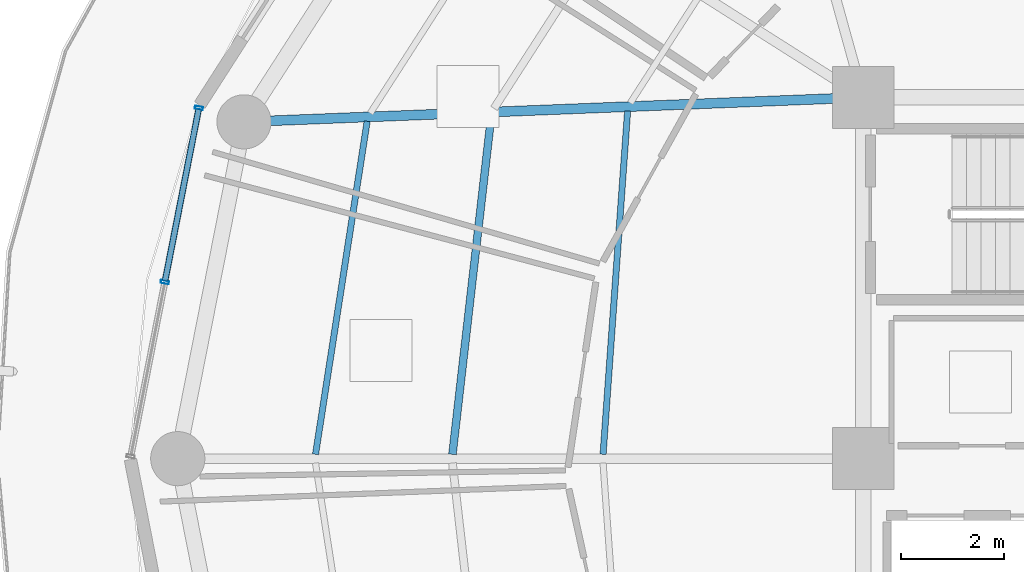
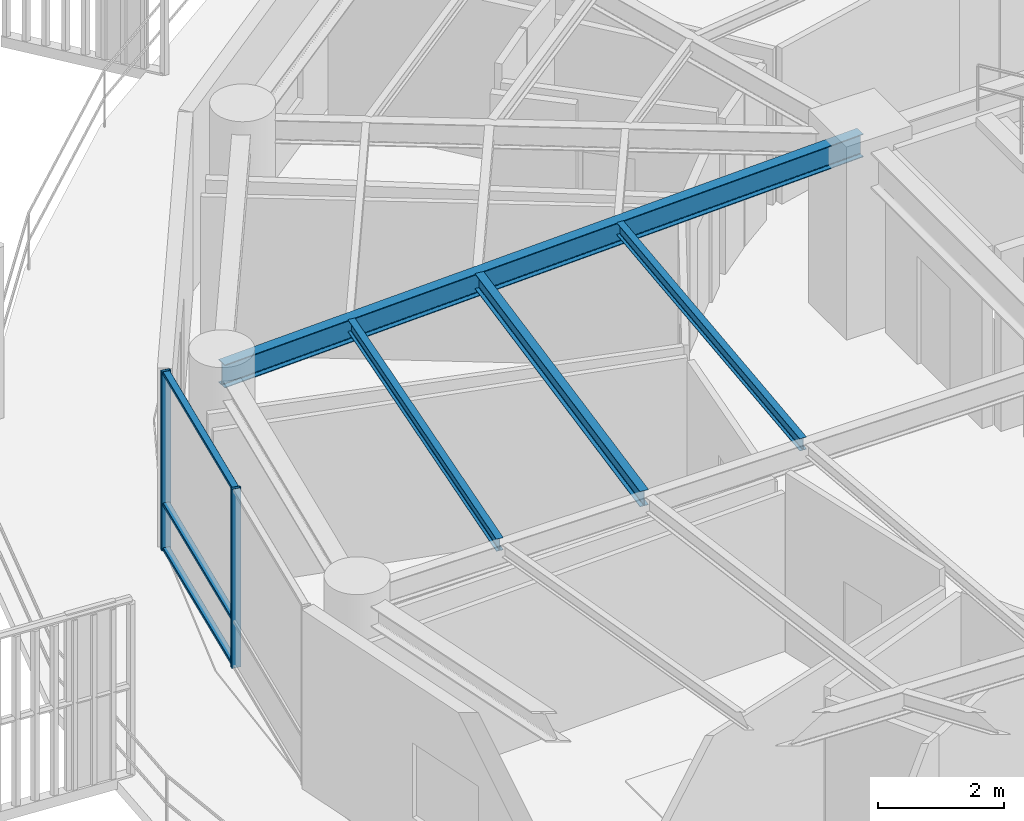
# One storey, part 8 of 30: 5 members, 4 beams, 1 element without a shape of its own.
"""IFC4 building model written with IfcOpenShell, lengths in metres."""

from ifc_helpers import new_model, si_unit, direction, frame, origin, origin_2d, place, context, subcontext, project, spatial, hollow_rectangle, i_section, extrude, material, layer, layer_set, material_profile, profile_set, type_object, element, aggregate, save


model = new_model("IFC4")

# Units and contexts
model_context = context("Model", 3, precision=1e-05, world=origin(), true_north=direction((0.0, 1.0)))
body_context = subcontext(model_context, "Body", "Model", "MODEL_VIEW")
ifc_project = project(units=[si_unit("LENGTHUNIT", "METRE"), si_unit("AREAUNIT", "SQUARE_METRE"), si_unit("VOLUMEUNIT", "CUBIC_METRE"), si_unit("PLANEANGLEUNIT", "RADIAN"), si_unit("MASSUNIT", "GRAM", prefix="KILO")], contexts=[model_context])

# Site, building, storey
site_placement = place(None, origin())
site = spatial("IfcSite", under=ifc_project, at=site_placement, CompositionType="ELEMENT")
building_placement = place(site_placement, origin())
building = spatial("IfcBuilding", under=site, at=building_placement, Name="Kelanora Arch Commons", CompositionType="ELEMENT")
storey_placement = place(building_placement, frame((0.0, 0.0, 211.949951171875)))
storey = spatial("IfcBuildingStorey", under=building, at=storey_placement, Name="L54", CompositionType="ELEMENT", Elevation=211.949951171875)

# Beams
ifc_material_1 = material(Name="Steel S355", Category="steel")
ifc_material_profile_1 = material_profile(ifc_material_1, i_section(OverallWidth=0.14990234375, OverallDepth=0.300048828125, WebThickness=0.007080078125, FlangeThickness=0.0107421875, FilletRadius=0.014892578125, at=origin_2d()), Name="IPE300")
ifc_profile_set_1 = profile_set([ifc_material_profile_1], Name="Steel S355")
beam_type_1 = type_object("IfcBeamType", Name="BM-JST-01", PredefinedType="JOIST", material=ifc_profile_set_1)
beam_1_placement = place(storey_placement, frame((58.792236328125, 64.631103515625, 3.340087890625), z_axis=(-0.113891408177, -0.993493204377, 0.0), x_axis=(0.993493204377, -0.113891408177, 0.0)))
element("IfcBeam", 1, at=beam_1_placement, inside=storey, type_object=beam_type_1, Name="Secondary Chord Joist BJB-16 L54", PredefinedType="JOIST", context=body_context, shape_type="SweptSolid", body=[
    extrude(i_section(OverallWidth=0.14990234375, OverallDepth=0.300048828125, WebThickness=0.007080078125, FlangeThickness=0.0107421875, FilletRadius=0.014892578125, at=origin_2d()), origin(), (0.0, 0.0, 1.0), 6.589599609375),
])
ifc_material_profile_2 = material_profile(ifc_material_1, i_section(OverallWidth=0.1201171875, OverallDepth=0.239990234375, WebThickness=0.006103515625, FlangeThickness=0.009765625, FilletRadius=0.014892578125, at=origin_2d()), Name="IPE240")
ifc_profile_set_2 = profile_set([ifc_material_profile_2], Name="Steel S355")
beam_type_2 = type_object("IfcBeamType", Name="BM-JST-02", PredefinedType="JOIST", material=ifc_profile_set_2)
beam_2_placement = place(storey_placement, frame((61.435302734375, 64.735107421875, 3.3701171875), z_axis=(-0.07133032136, -0.997452748382, 0.0), x_axis=(0.997452748382, -0.07133032136, 0.0)))
element("IfcBeam", 2, at=beam_2_placement, inside=storey, type_object=beam_type_2, Name="Secondary Chord Joist BJA-16 L54", PredefinedType="JOIST", context=body_context, shape_type="SweptSolid", body=[
    extrude(i_section(OverallWidth=0.1201171875, OverallDepth=0.239990234375, WebThickness=0.006103515625, FlangeThickness=0.009765625, FilletRadius=0.014892578125, at=origin_2d()), origin(), (0.0, 0.0, 1.0), 6.66748046875),
])
beam_3_placement = place(storey_placement, frame((56.3896484375, 64.53662109375, 3.3701171875), z_axis=(-0.153256756152, -0.988186402808, 0.0), x_axis=(0.988186402808, -0.153256756152, 0.0)))
element("IfcBeam", 3, at=beam_3_placement, inside=storey, type_object=beam_type_2, Name="Secondary Chord Joist BJC-16 L54", PredefinedType="JOIST", context=body_context, shape_type="SweptSolid", body=[
    extrude(i_section(OverallWidth=0.1201171875, OverallDepth=0.239990234375, WebThickness=0.006103515625, FlangeThickness=0.009765625, FilletRadius=0.014892578125, at=origin_2d()), origin(), (0.0, 0.0, 1.0), 6.52978515625),
])
ifc_material_profile_3 = material_profile(ifc_material_1, i_section(OverallWidth=0.18994140625, OverallDepth=0.449951171875, WebThickness=0.009521484375, FlangeThickness=0.0146484375, FilletRadius=0.02099609375, at=origin_2d()), Name="IPE450")
ifc_profile_set_3 = profile_set([ifc_material_profile_3], Name="Steel S355")
beam_type_3 = type_object("IfcBeamType", Name="BM-RAD-Z4", PredefinedType="BEAM", material=ifc_profile_set_3)
beam_4_placement = place(storey_placement, frame((66.0, 65.0, 3.26513671875), z_axis=(-0.999219142585, -0.03951082246, 0.0), x_axis=(0.03951082246, -0.999219142585, 0.0)))
element("IfcBeam", 4, at=beam_4_placement, inside=storey, type_object=beam_type_3, Name="Radial Floor Girder BR-16 L54", PredefinedType="BEAM", context=body_context, shape_type="SweptSolid", body=[
    extrude(i_section(OverallWidth=0.18994140625, OverallDepth=0.449951171875, WebThickness=0.009521484375, FlangeThickness=0.0146484375, FilletRadius=0.02099609375, at=origin_2d()), origin(), (0.0, 0.0, 1.0), 12.005859375),
])

# Curtain wall, members
ifc_material_2 = material(Name="Terracotta ceramic-fritted low-E glass and aluminium", Category="masonry")
ifc_layer = layer(ifc_material_2, 0.175048828125)
ifc_layer_set = layer_set([ifc_layer], Name="Terracotta ceramic-fritted low-E glass and aluminium")
curtain_wall_type = type_object("IfcCurtainWallType", Name="CW-SYS-02", PredefinedType="NOTDEFINED", material=ifc_layer_set)
curtain_wall_placement = place(storey_placement, origin())
curtain_wall = element("IfcCurtainWall", 5, at=curtain_wall_placement, inside=storey, type_object=curtain_wall_type, Name="Unitised Curtain Wall L54-B08", PredefinedType="NOTDEFINED")
ifc_material_3 = material(Name="Powder-coated aluminium terracotta", Category="masonry")
ifc_material_profile_4 = material_profile(ifc_material_3, hollow_rectangle(XDim=0.159912109375, YDim=0.06005859375, WallThickness=0.0048828125, InnerFilletRadius=0.0048828125, OuterFilletRadius=0.010009765625, at=origin_2d()), Name="CWM160x60")
ifc_profile_set_4 = profile_set([ifc_material_profile_4], Name="Powder-coated aluminium terracotta")
member_type_1 = type_object("IfcMemberType", Name="CWM-STD", PredefinedType="MULLION", material=ifc_profile_set_4)
member_1_placement = place(storey_placement, frame((53.130126953125, 64.796142578125, 0.0), z_axis=(0.0, 0.0, 1.0), x_axis=(0.981381438349, -0.192068926335, 0.0)))
member_1 = element("IfcMember", 6, at=member_1_placement, type_object=member_type_1, Name="CW-02 mullion 1", PredefinedType="MULLION", context=body_context, shape_type="SweptSolid", body=[
    extrude(hollow_rectangle(XDim=0.159912109375, YDim=0.06005859375, WallThickness=0.0048828125, InnerFilletRadius=0.0048828125, OuterFilletRadius=0.010009765625, at=origin_2d()), origin(), (0.0, 0.0, 1.0), 3.47509765625),
])
member_2_placement = place(storey_placement, frame((52.469482421875, 61.420166015625, 0.0), z_axis=(0.0, 0.0, 1.0), x_axis=(0.981381438349, -0.192068926335, 0.0)))
member_2 = element("IfcMember", 7, at=member_2_placement, type_object=member_type_1, Name="CW-02 mullion 2", PredefinedType="MULLION", context=body_context, shape_type="SweptSolid", body=[
    extrude(hollow_rectangle(XDim=0.159912109375, YDim=0.06005859375, WallThickness=0.0048828125, InnerFilletRadius=0.0048828125, OuterFilletRadius=0.010009765625, at=origin_2d()), origin(), (0.0, 0.0, 1.0), 3.47509765625),
])
ifc_material_profile_5 = material_profile(ifc_material_3, hollow_rectangle(XDim=0.1201171875, YDim=0.06005859375, WallThickness=0.0048828125, InnerFilletRadius=0.0048828125, OuterFilletRadius=0.010009765625, at=origin_2d()), Name="CWT120x60")
ifc_profile_set_5 = profile_set([ifc_material_profile_5], Name="Powder-coated aluminium terracotta")
member_type_2 = type_object("IfcMemberType", Name="CWT-STD", PredefinedType="USERDEFINED", material=ifc_profile_set_5)
member_3_placement = place(storey_placement, frame((53.124267578125, 64.766845703125, 0.030029296875), z_axis=(-0.192058488005, -0.981383481207, 0.0), x_axis=(0.981383481207, -0.192058488005, 0.0)))
member_3 = element("IfcMember", 8, at=member_3_placement, type_object=member_type_2, Name="CW-02 transom 1.1", ObjectType="TRANSOM", PredefinedType="USERDEFINED", context=body_context, shape_type="SweptSolid", body=[
    extrude(hollow_rectangle(XDim=0.1201171875, YDim=0.06005859375, WallThickness=0.0048828125, InnerFilletRadius=0.0048828125, OuterFilletRadius=0.010009765625, at=origin_2d()), origin(), (0.0, 0.0, 1.0), 3.380126953125),
])
member_4_placement = place(storey_placement, frame((53.124267578125, 64.766845703125, 0.900146484375), z_axis=(-0.192058488005, -0.981383481207, 0.0), x_axis=(0.981383481207, -0.192058488005, 0.0)))
member_4 = element("IfcMember", 9, at=member_4_placement, type_object=member_type_2, Name="CW-02 transom 1.2", ObjectType="TRANSOM", PredefinedType="USERDEFINED", context=body_context, shape_type="SweptSolid", body=[
    extrude(hollow_rectangle(XDim=0.1201171875, YDim=0.06005859375, WallThickness=0.0048828125, InnerFilletRadius=0.0048828125, OuterFilletRadius=0.010009765625, at=origin_2d()), origin(), (0.0, 0.0, 1.0), 3.380126953125),
])
member_5_placement = place(storey_placement, frame((53.124267578125, 64.766845703125, 3.445068359375), z_axis=(-0.192058488005, -0.981383481207, 0.0), x_axis=(0.981383481207, -0.192058488005, 0.0)))
member_5 = element("IfcMember", 10, at=member_5_placement, type_object=member_type_2, Name="CW-02 transom 1.3", ObjectType="TRANSOM", PredefinedType="USERDEFINED", context=body_context, shape_type="SweptSolid", body=[
    extrude(hollow_rectangle(XDim=0.1201171875, YDim=0.06005859375, WallThickness=0.0048828125, InnerFilletRadius=0.0048828125, OuterFilletRadius=0.010009765625, at=origin_2d()), origin(), (0.0, 0.0, 1.0), 3.380126953125),
])
aggregate(curtain_wall, [member_1, member_2, member_3, member_4, member_5])

save(model, "model.ifc")
